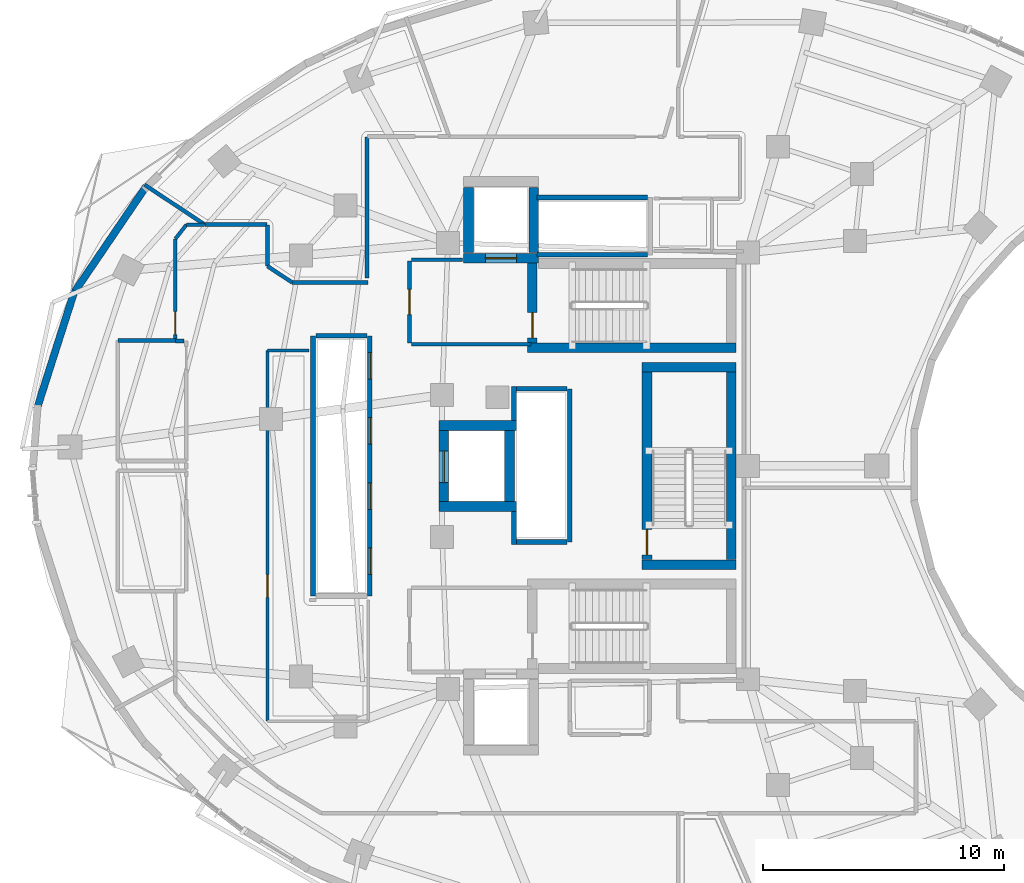
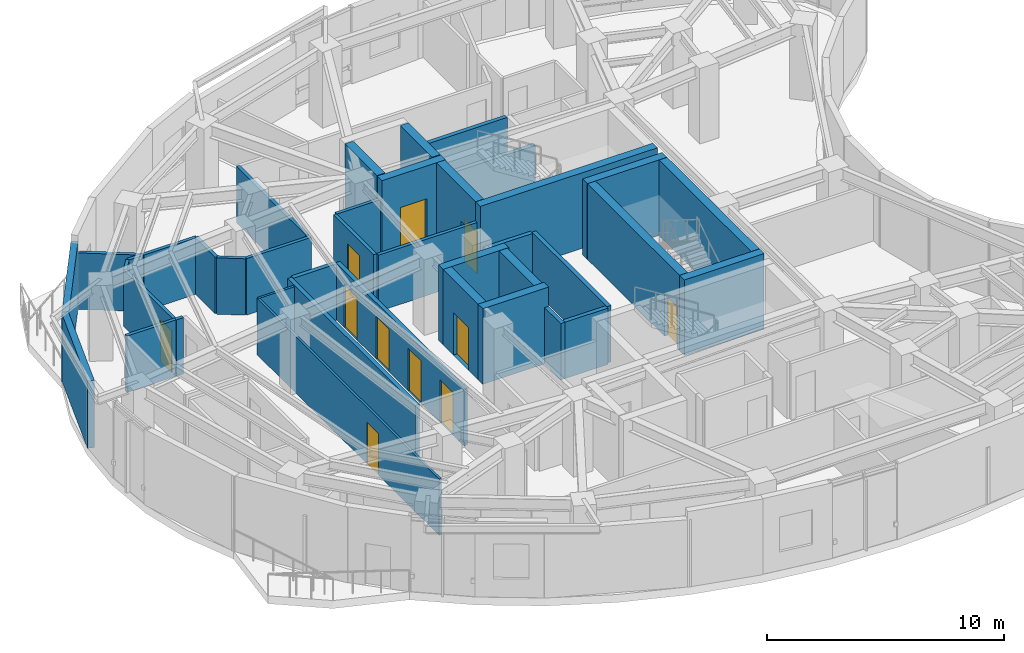
# One storey, part 8 of 13: 41 walls, 11 doors, 11 openings.
"""IFC4 building model written with IfcOpenShell, lengths in metres."""

from ifc_helpers import new_model, si_unit, direction, frame, frame_2d, origin, place, context, subcontext, project, spatial, rectangle, extrude, material, layer, layer_set, type_object, element, fill, save


model = new_model("IFC4")

# Units and contexts
model_context = context("Model", 3, precision=1e-05, world=origin(), true_north=direction((0.0, 1.0)))
body_context = subcontext(model_context, "Body", "Model", "MODEL_VIEW")
ifc_project = project(units=[si_unit("LENGTHUNIT", "METRE"), si_unit("AREAUNIT", "SQUARE_METRE"), si_unit("VOLUMEUNIT", "CUBIC_METRE"), si_unit("PLANEANGLEUNIT", "RADIAN"), si_unit("MASSUNIT", "GRAM", prefix="KILO")], contexts=[model_context])

# Site, building, storey
site_placement = place(None, origin())
site = spatial("IfcSite", under=ifc_project, at=site_placement, CompositionType="ELEMENT")
building_placement = place(site_placement, origin())
building = spatial("IfcBuilding", under=site, at=building_placement, Name="Korentha Bioscience Tower", CompositionType="ELEMENT")
storey_placement = place(building_placement, frame((0.0, 0.0, 166.800048828125)))
storey = spatial("IfcBuildingStorey", under=building, at=storey_placement, Name="L38", CompositionType="ELEMENT", Elevation=166.800048828125)

# Wall, opening, door
ifc_material_1 = material(Name="Double-Stud Acoustic Gypsum", Category="gypsum")
ifc_layer_1 = layer(ifc_material_1, 0.14990234375, Name="Double-Stud Acoustic Gypsum")
ifc_layer_set_1 = layer_set([ifc_layer_1], Name="Double-Stud Acoustic Gypsum (IW-L150)")
wall_type_1 = type_object("IfcWallType", Name="Acoustic Laboratory Partition Wall 150", PredefinedType="PARTITIONING", material=ifc_layer_set_1)
wall_1_placement = place(storey_placement, frame((13.7900390625, 36.41748046875, 0.0), z_axis=(0.0, 0.0, 1.0), x_axis=(0.0, -1.0, 0.0)))
wall_1 = element("IfcWall", 1, at=wall_1_placement, inside=storey, type_object=wall_type_1, Name="L38 Epidemiology Modelling Studio 08 Entrance Wall", PredefinedType="PARTITIONING", context=body_context, shape_type="SweptSolid", body=[
    extrude(rectangle(XDim=4.20751953125, YDim=0.14990234375, at=frame_2d((2.103759765625, 0.0))), origin(), (0.0, 0.0, 1.0), 2.909912109375),
])
opening_1_placement = place(wall_1_placement, frame((3.017333984375, 0.0, 0.0)))
opening_1 = element("IfcOpeningElement", 2, at=opening_1_placement, cuts=wall_1, Name="Opening ID-10R", PredefinedType="OPENING", context=body_context, shape_type="SweptSolid", body=[
    extrude(rectangle(XDim=0.949951171875, YDim=2.14990234375, at=frame_2d((0.47509765625, 1.074951171875))), frame((0.0, 0.08984375, 0.0), z_axis=(0.0, -1.0, 0.0), x_axis=(1.0, 0.0, 0.0)), (0.0, 0.0, 1.0), 0.1796875),
])
ifc_material_2 = material(Name="Phenolic Laminate Timber Core", Category="wood")
door_type_1 = type_object("IfcDoorType", Name="Laboratory Single Leaf Door 950x2150 Right", OperationType="SINGLE_SWING_RIGHT", PredefinedType="DOOR", material=ifc_material_2)
door_1_placement = place(opening_1_placement, origin())
door_1 = element("IfcDoor", 3, at=door_1_placement, inside=storey, type_object=door_type_1, Name="L38 Epidemiology Modelling Studio 08 Door", OperationType="SINGLE_SWING_RIGHT", OverallHeight=2.14990234375, OverallWidth=0.949951171875, PredefinedType="DOOR", context=body_context, shape_type="SweptSolid", body=[
    extrude(rectangle(XDim=0.949951171875, YDim=2.14990234375, at=frame_2d((0.47509765625, 1.074951171875))), frame((0.0, 0.02490234375, 0.0), z_axis=(0.0, -1.0, 0.0), x_axis=(1.0, 0.0, 0.0)), (0.0, 0.0, 1.0), 0.050048828125),
])
fill(opening_1, door_1)

# Walls
wall_2_placement = place(storey_placement, frame((14.9912109375, 37.010009765625, 0.0), z_axis=(0.0, 0.0, 1.0), x_axis=(-1.0, 0.0, 0.0)))
element("IfcWall", 4, at=wall_2_placement, inside=storey, type_object=wall_type_1, Name="L38 Interior Partition 061", PredefinedType="PARTITIONING", context=body_context, shape_type="SweptSolid", body=[
    extrude(rectangle(XDim=0.73583984375, YDim=0.14990234375, at=frame_2d((0.367919921875, 0.0))), origin(), (0.0, 0.0, 1.0), 2.909912109375),
])
wall_3_placement = place(storey_placement, frame((14.24755859375, 37.006103515625, 0.0), z_axis=(0.0, 0.0, 1.0), x_axis=(-0.616041172792, -0.787713954063, 0.0)))
element("IfcWall", 5, at=wall_3_placement, inside=storey, type_object=wall_type_1, Name="L38 Interior Partition 062", PredefinedType="PARTITIONING", context=body_context, shape_type="SweptSolid", body=[
    extrude(rectangle(XDim=0.739501953125, YDim=0.14990234375, at=frame_2d((0.36962890625, 0.0))), origin(), (0.0, 0.0, 1.0), 2.909912109375),
])

# Wall, opening, door
ifc_material_3 = material(Name="Fire-Rated Framed Glass", Category="glass")
ifc_layer_2 = layer(ifc_material_3, 0.110107421875, Name="Fire-Rated Framed Glass")
ifc_layer_set_2 = layer_set([ifc_layer_2], Name="Fire-Rated Framed Glass (IW-G110)")
wall_type_2 = type_object("IfcWallType", Name="Demountable Glazed Office Partition 110", PredefinedType="MOVABLE", material=ifc_layer_set_2)
wall_4_placement = place(storey_placement, frame((17.610107421875, 16.409912109375, 0.0), z_axis=(0.0, 0.0, 1.0), x_axis=(0.0, 1.0, 0.0)))
wall_4 = element("IfcWall", 6, at=wall_4_placement, inside=storey, type_object=wall_type_2, Name="L38 Research Colloquium Seminar Room 01 Entrance Wall", PredefinedType="MOVABLE", context=body_context, shape_type="SweptSolid", body=[
    extrude(rectangle(XDim=15.380126953125, YDim=0.110107421875, at=frame_2d((7.68994140625, 0.0))), origin(), (0.0, 0.0, 1.0), 2.909912109375),
])
opening_2_placement = place(wall_4_placement, frame((5.134521484375, 0.0, 0.0)))
opening_2 = element("IfcOpeningElement", 7, at=opening_2_placement, cuts=wall_4, Name="Opening ID-10L", PredefinedType="OPENING", context=body_context, shape_type="SweptSolid", body=[
    extrude(rectangle(XDim=0.949951171875, YDim=2.14990234375, at=frame_2d((0.47509765625, 1.074951171875))), frame((0.0, 0.06982421875, 0.0), z_axis=(0.0, -1.0, 0.0), x_axis=(1.0, 0.0, 0.0)), (0.0, 0.0, 1.0), 0.139892578125),
])
door_type_2 = type_object("IfcDoorType", Name="Laboratory Single Leaf Door 950x2150 Left", OperationType="SINGLE_SWING_LEFT", PredefinedType="DOOR", material=ifc_material_2)
door_2_placement = place(opening_2_placement, origin())
door_2 = element("IfcDoor", 8, at=door_2_placement, inside=storey, type_object=door_type_2, Name="L38 Research Colloquium Seminar Room 01 Door", OperationType="SINGLE_SWING_LEFT", OverallHeight=2.14990234375, OverallWidth=0.949951171875, PredefinedType="DOOR", context=body_context, shape_type="SweptSolid", body=[
    extrude(rectangle(XDim=0.949951171875, YDim=2.14990234375, at=frame_2d((0.47509765625, 1.074951171875))), frame((0.0, 0.02490234375, 0.0), z_axis=(0.0, -1.0, 0.0), x_axis=(1.0, 0.0, 0.0)), (0.0, 0.0, 1.0), 0.050048828125),
])
fill(opening_2, door_2)

# Wall
wall_5_placement = place(storey_placement, frame((17.610107421875, 31.7900390625, 0.0), z_axis=(0.0, 0.0, 1.0), x_axis=(1.0, 0.0, 0.0)))
element("IfcWall", 9, at=wall_5_placement, inside=storey, type_object=wall_type_2, Name="L38 Interior Partition 031", PredefinedType="MOVABLE", context=body_context, shape_type="SweptSolid", body=[
    extrude(rectangle(XDim=1.72998046875, YDim=0.110107421875, at=frame_2d((0.864990234375, 0.0))), origin(), (0.0, 0.0, 1.0), 2.909912109375),
])

# Wall, opening, door
ifc_material_4 = material(Name="Gypsum-Clad Steel Stud", Category="steel")
ifc_layer_3 = layer(ifc_material_4, 0.159912109375, Name="Gypsum-Clad Steel Stud")
ifc_layer_set_3 = layer_set([ifc_layer_3], Name="Gypsum-Clad Steel Stud (IW-C160)")
wall_type_3 = type_object("IfcWallType", Name="Fire-Rated Corridor Partition Wall 160", PredefinedType="PARTITIONING", material=ifc_layer_set_3)
wall_6_placement = place(storey_placement, frame((23.5, 32.10009765625, 0.0), z_axis=(0.0, 0.0, 1.0), x_axis=(0.0, 1.0, 0.0)))
wall_6 = element("IfcWall", 10, at=wall_6_placement, inside=storey, type_object=wall_type_3, Name="L38 FFLN-CW Rated Enclosure Wall", PredefinedType="PARTITIONING", context=body_context, shape_type="SweptSolid", body=[
    extrude(rectangle(XDim=3.39990234375, YDim=0.159912109375, at=frame_2d((1.699951171875, 0.0))), origin(), (0.0, 0.0, 1.0), 2.909912109375),
])
opening_3_placement = place(wall_6_placement, frame((1.175048828125, 0.0, 0.0)))
opening_3 = element("IfcOpeningElement", 11, at=opening_3_placement, cuts=wall_6, Name="Opening FD-90L", PredefinedType="OPENING", context=body_context, shape_type="SweptSolid", body=[
    extrude(rectangle(XDim=1.050048828125, YDim=2.14990234375, at=frame_2d((0.52490234375, 1.074951171875))), frame((0.0, 0.0947265625, 0.0), z_axis=(0.0, -1.0, 0.0), x_axis=(1.0, 0.0, 0.0)), (0.0, 0.0, 1.0), 0.189697265625),
])
ifc_material_5 = material(Name="Powder-Coated Fire-Rated Steel", Category="steel")
door_type_3 = type_object("IfcDoorType", Name="Stairwell Fire Exit Door 1050x2150 Left", OperationType="SINGLE_SWING_LEFT", PredefinedType="DOOR", material=ifc_material_5)
door_3_placement = place(opening_3_placement, origin())
door_3 = element("IfcDoor", 12, at=door_3_placement, inside=storey, type_object=door_type_3, Name="L38 North Firefighting Lobby Door", OperationType="SINGLE_SWING_LEFT", OverallHeight=2.14990234375, OverallWidth=1.050048828125, PredefinedType="DOOR", context=body_context, shape_type="SweptSolid", body=[
    extrude(rectangle(XDim=1.050048828125, YDim=2.14990234375, at=frame_2d((0.52490234375, 1.074951171875))), frame((0.0, 0.02490234375, 0.0), z_axis=(0.0, -1.0, 0.0), x_axis=(1.0, 0.0, 0.0)), (0.0, 0.0, 1.0), 0.050048828125),
])
fill(opening_3, door_3)

# Walls
wall_7_placement = place(storey_placement, frame((23.580078125, 32.050048828125, 0.0), z_axis=(0.0, 0.0, 1.0), x_axis=(1.0, 0.0, 0.0)))
element("IfcWall", 13, at=wall_7_placement, inside=storey, type_object=wall_type_3, Name="L38 Firefighting Lobby Return Wall FFLN-S", PredefinedType="PARTITIONING", context=body_context, shape_type="SweptSolid", body=[
    extrude(rectangle(XDim=4.969970703125, YDim=0.159912109375, at=frame_2d((2.48486328125, 0.0))), origin(), (0.0, 0.0, 1.0), 2.909912109375),
])
wall_8_placement = place(storey_placement, frame((23.580078125, 35.550048828125, 0.0), z_axis=(0.0, 0.0, 1.0), x_axis=(1.0, 0.0, 0.0)))
element("IfcWall", 14, at=wall_8_placement, inside=storey, type_object=wall_type_3, Name="L38 Firefighting Lobby Return Wall FFLN-N", PredefinedType="PARTITIONING", context=body_context, shape_type="SweptSolid", body=[
    extrude(rectangle(XDim=2.119873046875, YDim=0.159912109375, at=frame_2d((1.06005859375, 0.0))), origin(), (0.0, 0.0, 1.0), 2.909912109375),
])
wall_9_placement = place(storey_placement, frame((13.800048828125, 32.18994140625, 0.0), z_axis=(0.0, 0.0, 1.0), x_axis=(1.0, 0.0, 0.0)))
element("IfcWall", 15, at=wall_9_placement, inside=storey, type_object=wall_type_3, Name="L38 Interior Partition 024", PredefinedType="PARTITIONING", context=body_context, shape_type="SweptSolid", body=[
    extrude(rectangle(XDim=0.35693359375, YDim=0.159912109375, at=frame_2d((0.178466796875, 0.0))), origin(), (0.0, 0.0, 1.0), 2.909912109375),
])
wall_10_placement = place(storey_placement, frame((11.39990234375, 32.199951171875, 0.0), z_axis=(0.0, 0.0, 1.0), x_axis=(1.0, 0.0, 0.0)))
element("IfcWall", 16, at=wall_10_placement, inside=storey, type_object=wall_type_3, Name="L38 Interior Partition 027", PredefinedType="PARTITIONING", context=body_context, shape_type="SweptSolid", body=[
    extrude(rectangle(XDim=2.39013671875, YDim=0.159912109375, at=frame_2d((1.195068359375, 0.0))), origin(), (0.0, 0.0, 1.0), 2.909912109375),
])
wall_11_placement = place(storey_placement, frame((21.739990234375, 40.64990234375, 0.0), z_axis=(0.0, 0.0, 1.0), x_axis=(0.0, -1.0, 0.0)))
element("IfcWall", 17, at=wall_11_placement, inside=storey, type_object=wall_type_3, Name="L38 Interior Partition 055", PredefinedType="PARTITIONING", context=body_context, shape_type="SweptSolid", body=[
    extrude(rectangle(XDim=5.849853515625, YDim=0.159912109375, at=frame_2d((2.9248046875, 0.0))), origin(), (0.0, 0.0, 1.0), 2.909912109375),
])
wall_12_placement = place(storey_placement, frame((21.7900390625, 34.610107421875, 0.0), z_axis=(0.0, 0.0, 1.0), x_axis=(-1.0, 0.0, 0.0)))
element("IfcWall", 18, at=wall_12_placement, inside=storey, type_object=wall_type_3, Name="L38 Interior Partition 056", PredefinedType="PARTITIONING", context=body_context, shape_type="SweptSolid", body=[
    extrude(rectangle(XDim=3.15673828125, YDim=0.159912109375, at=frame_2d((1.578369140625, 0.0))), origin(), (0.0, 0.0, 1.0), 2.909912109375),
])
wall_13_placement = place(storey_placement, frame((18.63330078125, 34.610107421875, 0.0), z_axis=(0.0, 0.0, 1.0), x_axis=(-0.833790799357, 0.552080522123, 0.0)))
element("IfcWall", 19, at=wall_13_placement, inside=storey, type_object=wall_type_3, Name="L38 Interior Partition 057", PredefinedType="PARTITIONING", context=body_context, shape_type="SweptSolid", body=[
    extrude(rectangle(XDim=1.22705078125, YDim=0.159912109375, at=frame_2d((0.613525390625, 0.0))), origin(), (0.0, 0.0, 1.0), 2.909912109375),
])
wall_14_placement = place(storey_placement, frame((17.610107421875, 35.28759765625, 0.0), z_axis=(0.0, 0.0, 1.0), x_axis=(0.0, 1.0, 0.0)))
element("IfcWall", 20, at=wall_14_placement, inside=storey, type_object=wall_type_3, Name="L38 Interior Partition 058", PredefinedType="PARTITIONING", context=body_context, shape_type="SweptSolid", body=[
    extrude(rectangle(XDim=1.71240234375, YDim=0.159912109375, at=frame_2d((0.856201171875, 0.0))), origin(), (0.0, 0.0, 1.0), 2.909912109375),
])
wall_15_placement = place(storey_placement, frame((17.60009765625, 37.010009765625, 0.0), z_axis=(0.0, 0.0, 1.0), x_axis=(-1.0, 0.0, 0.0)))
element("IfcWall", 21, at=wall_15_placement, inside=storey, type_object=wall_type_3, Name="L38 Interior Partition 059", PredefinedType="PARTITIONING", context=body_context, shape_type="SweptSolid", body=[
    extrude(rectangle(XDim=2.590576171875, YDim=0.159912109375, at=frame_2d((1.29541015625, 0.0))), origin(), (0.0, 0.0, 1.0), 2.909912109375),
])
wall_16_placement = place(storey_placement, frame((15.009521484375, 37.010009765625, 0.0), z_axis=(0.0, 0.0, 1.0), x_axis=(-0.833750277905, 0.552141715589, 0.0)))
element("IfcWall", 22, at=wall_16_placement, inside=storey, type_object=wall_type_3, Name="L38 Interior Partition 060", PredefinedType="PARTITIONING", context=body_context, shape_type="SweptSolid", body=[
    extrude(rectangle(XDim=2.997802734375, YDim=0.159912109375, at=frame_2d((1.4990234375, 0.0))), origin(), (0.0, 0.0, 1.0), 2.909912109375),
])
ifc_material_6 = material(Name="Honed Limestone Precast Concrete C40", Category="masonry")
ifc_layer_4 = layer(ifc_material_6, 0.300048828125, Name="Honed Limestone Precast Concrete C40")
ifc_layer_set_4 = layer_set([ifc_layer_4], Name="Honed Limestone Precast Concrete C40 (EW-ST300)")
wall_type_4 = type_object("IfcWallType", Name="Honed Limestone Cavity Spandrel Wall 300", PredefinedType="STANDARD", material=ifc_layer_set_4)
wall_17_placement = place(storey_placement, frame((12.580078125, 38.6005859375, 0.0), z_axis=(0.0, 0.0, 1.0), x_axis=(-0.561663900064, -0.827365495634, 0.0)))
element("IfcWall", 23, at=wall_17_placement, inside=storey, type_object=wall_type_4, Name="L38 Limestone Perimeter Closure Wall 14", PredefinedType="STANDARD", context=body_context, shape_type="SweptSolid", body=[
    extrude(rectangle(XDim=5.437744140625, YDim=0.300048828125, at=frame_2d((2.71875, 0.0))), origin(), (0.0, 0.0, 1.0), 3.469970703125),
])
wall_18_placement = place(storey_placement, frame((9.612548828125, 34.280029296875, 0.0), z_axis=(0.0, 0.0, 1.0), x_axis=(-0.303930984078, -0.952694052106, 0.0)))
element("IfcWall", 24, at=wall_18_placement, inside=storey, type_object=wall_type_4, Name="L38 Limestone Perimeter Closure Wall 16", PredefinedType="STANDARD", context=body_context, shape_type="SweptSolid", body=[
    extrude(rectangle(XDim=5.18115234375, YDim=0.300048828125, at=frame_2d((2.590576171875, 0.0))), origin(), (0.0, 0.0, 1.0), 3.469970703125),
])
ifc_material_7 = material(Name="Autoclaved Aerated Concrete Block C25", Category="concrete")
ifc_layer_5 = layer(ifc_material_7, 0.199951171875, Name="Autoclaved Aerated Concrete Block C25")
ifc_layer_set_5 = layer_set([ifc_layer_5], Name="Autoclaved Aerated Concrete Block C25 (IW-S200)")
wall_type_5 = type_object("IfcWallType", Name="Lift and Riser Shaft Enclosure Wall 200", PredefinedType="PARTITIONING", material=ifc_layer_set_5)
wall_19_placement = place(storey_placement, frame((19.5, 21.60009765625, 0.0), z_axis=(0.0, 0.0, 1.0), x_axis=(0.0, 1.0, 0.0)))
element("IfcWall", 25, at=wall_19_placement, inside=storey, type_object=wall_type_5, Name="L38 Lift Bank MID Shaft Wall -X", PredefinedType="PARTITIONING", context=body_context, shape_type="SweptSolid", body=[
    extrude(rectangle(XDim=10.7998046875, YDim=0.199951171875, at=frame_2d((5.39990234375, 0.0))), origin(), (0.0, 0.0, 1.0), 2.909912109375),
])

# Wall, openings, doors
wall_20_placement = place(storey_placement, frame((21.85009765625, 21.60009765625, 0.0), z_axis=(0.0, 0.0, 1.0), x_axis=(0.0, 1.0, 0.0)))
wall_20 = element("IfcWall", 26, at=wall_20_placement, inside=storey, type_object=wall_type_5, Name="L38 Lift Bank MID Shaft Wall +X", PredefinedType="PARTITIONING", context=body_context, shape_type="SweptSolid", body=[
    extrude(rectangle(XDim=10.7998046875, YDim=0.199951171875, at=frame_2d((5.39990234375, 0.0))), origin(), (0.0, 0.0, 1.0), 2.909912109375),
])
opening_4_placement = place(wall_20_placement, frame((0.89990234375, 0.0, 0.0)))
opening_4 = element("IfcOpeningElement", 27, at=opening_4_placement, cuts=wall_20, Name="Opening LD-11", PredefinedType="OPENING", context=body_context, shape_type="SweptSolid", body=[
    extrude(rectangle(XDim=1.10009765625, YDim=2.199951171875, at=frame_2d((0.550048828125, 1.10009765625))), frame((0.0, 0.11474609375, 0.0), z_axis=(0.0, -1.0, 0.0), x_axis=(1.0, 0.0, 0.0)), (0.0, 0.0, 1.0), 0.229736328125),
])
opening_5_placement = place(wall_20_placement, frame((3.60009765625, 0.0, 0.0)))
opening_5 = element("IfcOpeningElement", 28, at=opening_5_placement, cuts=wall_20, Name="Opening LD-11", PredefinedType="OPENING", context=body_context, shape_type="SweptSolid", body=[
    extrude(rectangle(XDim=1.10009765625, YDim=2.199951171875, at=frame_2d((0.550048828125, 1.10009765625))), frame((0.0, 0.11474609375, 0.0), z_axis=(0.0, -1.0, 0.0), x_axis=(1.0, 0.0, 0.0)), (0.0, 0.0, 1.0), 0.229736328125),
])
opening_6_placement = place(wall_20_placement, frame((6.300048828125, 0.0, 0.0)))
opening_6 = element("IfcOpeningElement", 29, at=opening_6_placement, cuts=wall_20, Name="Opening LD-11", PredefinedType="OPENING", context=body_context, shape_type="SweptSolid", body=[
    extrude(rectangle(XDim=1.10009765625, YDim=2.199951171875, at=frame_2d((0.550048828125, 1.10009765625))), frame((0.0, 0.11474609375, 0.0), z_axis=(0.0, -1.0, 0.0), x_axis=(1.0, 0.0, 0.0)), (0.0, 0.0, 1.0), 0.229736328125),
])
opening_7_placement = place(wall_20_placement, frame((9.0, 0.0, 0.0)))
opening_7 = element("IfcOpeningElement", 30, at=opening_7_placement, cuts=wall_20, Name="Opening LD-11", PredefinedType="OPENING", context=body_context, shape_type="SweptSolid", body=[
    extrude(rectangle(XDim=1.10009765625, YDim=2.199951171875, at=frame_2d((0.550048828125, 1.10009765625))), frame((0.0, 0.11474609375, 0.0), z_axis=(0.0, -1.0, 0.0), x_axis=(1.0, 0.0, 0.0)), (0.0, 0.0, 1.0), 0.229736328125),
])
ifc_material_8 = material(Name="Brushed Stainless Steel 304", Category="steel")
door_type_4 = type_object("IfcDoorType", Name="Passenger Lift Sliding Landing Door 1100x2200", OperationType="DOUBLE_DOOR_SLIDING", PredefinedType="DOOR", material=ifc_material_8)
door_4_placement = place(opening_4_placement, origin())
door_4 = element("IfcDoor", 31, at=door_4_placement, inside=storey, type_object=door_type_4, Name="L38 PL-M1 Sliding Lift Landing Door", OperationType="DOUBLE_DOOR_SLIDING", OverallHeight=2.199951171875, OverallWidth=1.10009765625, PredefinedType="DOOR", context=body_context, shape_type="SweptSolid", body=[
    extrude(rectangle(XDim=1.10009765625, YDim=2.199951171875, at=frame_2d((0.550048828125, 1.10009765625))), frame((0.0, 0.02490234375, 0.0), z_axis=(0.0, -1.0, 0.0), x_axis=(1.0, 0.0, 0.0)), (0.0, 0.0, 1.0), 0.050048828125),
])
fill(opening_4, door_4)
door_5_placement = place(opening_5_placement, origin())
door_5 = element("IfcDoor", 32, at=door_5_placement, inside=storey, type_object=door_type_4, Name="L38 PL-M2 Sliding Lift Landing Door", OperationType="DOUBLE_DOOR_SLIDING", OverallHeight=2.199951171875, OverallWidth=1.10009765625, PredefinedType="DOOR", context=body_context, shape_type="SweptSolid", body=[
    extrude(rectangle(XDim=1.10009765625, YDim=2.199951171875, at=frame_2d((0.550048828125, 1.10009765625))), frame((0.0, 0.02490234375, 0.0), z_axis=(0.0, -1.0, 0.0), x_axis=(1.0, 0.0, 0.0)), (0.0, 0.0, 1.0), 0.050048828125),
])
fill(opening_5, door_5)
door_6_placement = place(opening_6_placement, origin())
door_6 = element("IfcDoor", 33, at=door_6_placement, inside=storey, type_object=door_type_4, Name="L38 PL-M3 Sliding Lift Landing Door", OperationType="DOUBLE_DOOR_SLIDING", OverallHeight=2.199951171875, OverallWidth=1.10009765625, PredefinedType="DOOR", context=body_context, shape_type="SweptSolid", body=[
    extrude(rectangle(XDim=1.10009765625, YDim=2.199951171875, at=frame_2d((0.550048828125, 1.10009765625))), frame((0.0, 0.02490234375, 0.0), z_axis=(0.0, -1.0, 0.0), x_axis=(1.0, 0.0, 0.0)), (0.0, 0.0, 1.0), 0.050048828125),
])
fill(opening_6, door_6)
door_7_placement = place(opening_7_placement, origin())
door_7 = element("IfcDoor", 34, at=door_7_placement, inside=storey, type_object=door_type_4, Name="L38 PL-M4 Sliding Lift Landing Door", OperationType="DOUBLE_DOOR_SLIDING", OverallHeight=2.199951171875, OverallWidth=1.10009765625, PredefinedType="DOOR", context=body_context, shape_type="SweptSolid", body=[
    extrude(rectangle(XDim=1.10009765625, YDim=2.199951171875, at=frame_2d((0.550048828125, 1.10009765625))), frame((0.0, 0.02490234375, 0.0), z_axis=(0.0, -1.0, 0.0), x_axis=(1.0, 0.0, 0.0)), (0.0, 0.0, 1.0), 0.050048828125),
])
fill(opening_7, door_7)

# Walls
wall_21_placement = place(storey_placement, frame((19.6201171875, 32.39990234375, 0.0), z_axis=(0.0, 0.0, 1.0), x_axis=(1.0, 0.0, 0.0)))
element("IfcWall", 35, at=wall_21_placement, inside=storey, type_object=wall_type_5, Name="L38 Lift Bank MID Shaft Wall +Y", PredefinedType="PARTITIONING", context=body_context, shape_type="SweptSolid", body=[
    extrude(rectangle(XDim=2.10986328125, YDim=0.199951171875, at=frame_2d((1.054931640625, 0.0))), origin(), (0.0, 0.0, 1.0), 2.909912109375),
])
wall_22_placement = place(storey_placement, frame((27.830078125, 23.75, 0.0), z_axis=(0.0, 0.0, 1.0), x_axis=(0.0, 1.0, 0.0)))
element("IfcWall", 36, at=wall_22_placement, inside=storey, type_object=wall_type_5, Name="L38 Lift Bank HIGH Shaft Wall -XS", PredefinedType="PARTITIONING", context=body_context, shape_type="SweptSolid", body=[
    extrude(rectangle(XDim=1.365966796875, YDim=0.199951171875, at=frame_2d((0.68310546875, 0.0))), origin(), (0.0, 0.0, 1.0), 2.909912109375),
])
wall_23_placement = place(storey_placement, frame((27.830078125, 28.884033203125, 0.0), z_axis=(0.0, 0.0, 1.0), x_axis=(0.0, 1.0, 0.0)))
element("IfcWall", 37, at=wall_23_placement, inside=storey, type_object=wall_type_5, Name="L38 Lift Bank HIGH Shaft Wall -XN", PredefinedType="PARTITIONING", context=body_context, shape_type="SweptSolid", body=[
    extrude(rectangle(XDim=1.416015625, YDim=0.199951171875, at=frame_2d((0.7080078125, 0.0))), origin(), (0.0, 0.0, 1.0), 2.909912109375),
])
wall_24_placement = place(storey_placement, frame((30.14990234375, 23.85009765625, 0.0), z_axis=(0.0, 0.0, 1.0), x_axis=(0.0, 1.0, 0.0)))
element("IfcWall", 38, at=wall_24_placement, inside=storey, type_object=wall_type_5, Name="L38 Lift Bank HIGH Shaft Wall +X", PredefinedType="PARTITIONING", context=body_context, shape_type="SweptSolid", body=[
    extrude(rectangle(XDim=6.349853515625, YDim=0.199951171875, at=frame_2d((3.1748046875, 0.0))), origin(), (0.0, 0.0, 1.0), 2.909912109375),
])
for number, where, z_axis, x_axis, name in (
    (39, (27.93408203125, 23.85009765625, 0.0), (0.0, 0.0, 1.0), (1.0, 0.0, 0.0), "L38 Lift Bank HIGH Shaft Wall -Y"),
    (40, (27.93408203125, 30.199951171875, 0.0), (0.0, 0.0, 1.0), (1.0, 0.0, 0.0), "L38 Lift Bank HIGH Shaft Wall +Y"),
):
    element("IfcWall", number, at=place(storey_placement, frame(where, z_axis=z_axis, x_axis=x_axis)), inside=storey, type_object=wall_type_5, Name=name, PredefinedType="PARTITIONING", context=body_context, shape_type="SweptSolid", body=[
        extrude(rectangle(XDim=2.095947265625, YDim=0.199951171875, at=frame_2d((1.0478515625, 0.0))), origin(), (0.0, 0.0, 1.0), 2.909912109375),
    ])
for number, where, z_axis, x_axis, name in (
    (41, (28.800048828125, 35.760009765625, 0.0), (0.0, 0.0, 1.0), (1.0, 0.0, 0.0), "L38 Lift Bank OBS Shaft Wall -Y"),
    (42, (28.800048828125, 38.139892578125, 0.0), (0.0, 0.0, 1.0), (1.0, 0.0, 0.0), "L38 Lift Bank OBS Shaft Wall +Y"),
):
    element("IfcWall", number, at=place(storey_placement, frame(where, z_axis=z_axis, x_axis=x_axis)), inside=storey, type_object=wall_type_5, Name=name, PredefinedType="PARTITIONING", context=body_context, shape_type="SweptSolid", body=[
        extrude(rectangle(XDim=4.570068359375, YDim=0.199951171875, at=frame_2d((2.28515625, 0.0))), origin(), (0.0, 0.0, 1.0), 2.909912109375),
    ])
ifc_material_9 = material(Name="Concrete C65", Category="concrete")
ifc_layer_6 = layer(ifc_material_9, 0.39990234375, Name="Concrete C65")
ifc_layer_set_6 = layer_set([ifc_layer_6], Name="Concrete C65 (CW-C65)")
wall_type_6 = type_object("IfcWallType", Name="Mid-Rise Core Shear Wall 400", PredefinedType="SHEAR", material=ifc_layer_set_6)
wall_25_placement = place(storey_placement, frame((28.39990234375, 31.89990234375, 0.0), z_axis=(0.0, 0.0, 1.0), x_axis=(1.0, 0.0, 0.0)))
element("IfcWall", 43, at=wall_25_placement, inside=storey, type_object=wall_type_6, Name="L38 Core Shear Wall ST1-S", PredefinedType="SHEAR", context=body_context, shape_type="SweptSolid", body=[
    extrude(rectangle(XDim=8.650146484375, YDim=0.39990234375, at=frame_2d((4.3251953125, 0.0))), origin(), (0.0, 0.0, 1.0), 3.89990234375),
])

# Wall, opening, door
wall_26_placement = place(storey_placement, frame((28.60009765625, 32.110107421875, 0.0), z_axis=(0.0, 0.0, 1.0), x_axis=(0.0, 1.0, 0.0)))
wall_26 = element("IfcWall", 44, at=wall_26_placement, inside=storey, type_object=wall_type_6, Name="L38 Core Shear Wall ST1-W", PredefinedType="SHEAR", context=body_context, shape_type="SweptSolid", body=[
    extrude(rectangle(XDim=3.307861328125, YDim=0.39990234375, at=frame_2d((1.65380859375, 0.0))), origin(), (0.0, 0.0, 1.0), 3.89990234375),
])
opening_8_placement = place(wall_26_placement, frame((0.199951171875, 0.0, 0.0)))
opening_8 = element("IfcOpeningElement", 45, at=opening_8_placement, cuts=wall_26, Name="Opening FD-90L", PredefinedType="OPENING", context=body_context, shape_type="SweptSolid", body=[
    extrude(rectangle(XDim=1.050048828125, YDim=2.14990234375, at=frame_2d((0.52490234375, 1.074951171875))), frame((0.0, 0.21484375, 0.0), z_axis=(0.0, -1.0, 0.0), x_axis=(1.0, 0.0, 0.0)), (0.0, 0.0, 1.0), 0.4296875),
])
door_8_placement = place(opening_8_placement, origin())
door_8 = element("IfcDoor", 46, at=door_8_placement, inside=storey, type_object=door_type_3, Name="L38 ST-1 Fire Exit Stair Door", OperationType="SINGLE_SWING_LEFT", OverallHeight=2.14990234375, OverallWidth=1.050048828125, PredefinedType="DOOR", context=body_context, shape_type="SweptSolid", body=[
    extrude(rectangle(XDim=1.050048828125, YDim=2.14990234375, at=frame_2d((0.52490234375, 1.074951171875))), frame((0.0, 0.02490234375, 0.0), z_axis=(0.0, -1.0, 0.0), x_axis=(1.0, 0.0, 0.0)), (0.0, 0.0, 1.0), 0.050048828125),
])
fill(opening_8, door_8)

# Walls
for number, where, z_axis, x_axis, name in (
    (47, (33.14990234375, 31.10009765625, 0.0), (0.0, 0.0, 1.0), (1.0, 0.0, 0.0), "L38 Core Shear Wall ST3-N"),
    (48, (33.14990234375, 22.89990234375, 0.0), (0.0, 0.0, 1.0), (1.0, 0.0, 0.0), "L38 Core Shear Wall ST3-S"),
):
    element("IfcWall", number, at=place(storey_placement, frame(where, z_axis=z_axis, x_axis=x_axis)), inside=storey, type_object=wall_type_6, Name=name, PredefinedType="SHEAR", context=body_context, shape_type="SweptSolid", body=[
        extrude(rectangle(XDim=3.900146484375, YDim=0.39990234375, at=frame_2d((1.9501953125, 0.0))), origin(), (0.0, 0.0, 1.0), 3.89990234375),
    ])
wall_27_placement = place(storey_placement, frame((36.85009765625, 23.110107421875, 0.0), z_axis=(0.0, 0.0, 1.0), x_axis=(0.0, 1.0, 0.0)))
element("IfcWall", 49, at=wall_27_placement, inside=storey, type_object=wall_type_6, Name="L38 Core Shear Wall ST3-E", PredefinedType="SHEAR", context=body_context, shape_type="SweptSolid", body=[
    extrude(rectangle(XDim=7.77978515625, YDim=0.39990234375, at=frame_2d((3.889892578125, 0.0))), origin(), (0.0, 0.0, 1.0), 3.89990234375),
])

# Wall, opening, door
wall_28_placement = place(storey_placement, frame((33.35009765625, 23.110107421875, 0.0), z_axis=(0.0, 0.0, 1.0), x_axis=(0.0, 1.0, 0.0)))
wall_28 = element("IfcWall", 50, at=wall_28_placement, inside=storey, type_object=wall_type_6, Name="L38 Core Shear Wall ST3-W", PredefinedType="SHEAR", context=body_context, shape_type="SweptSolid", body=[
    extrude(rectangle(XDim=7.77978515625, YDim=0.39990234375, at=frame_2d((3.889892578125, 0.0))), origin(), (0.0, 0.0, 1.0), 3.89990234375),
])
opening_9_placement = place(wall_28_placement, frame((0.199951171875, 0.0, 0.0)))
opening_9 = element("IfcOpeningElement", 51, at=opening_9_placement, cuts=wall_28, Name="Opening FD-90L", PredefinedType="OPENING", context=body_context, shape_type="SweptSolid", body=[
    extrude(rectangle(XDim=1.050048828125, YDim=2.14990234375, at=frame_2d((0.52490234375, 1.074951171875))), frame((0.0, 0.21484375, 0.0), z_axis=(0.0, -1.0, 0.0), x_axis=(1.0, 0.0, 0.0)), (0.0, 0.0, 1.0), 0.4296875),
])
door_9_placement = place(opening_9_placement, origin())
door_9 = element("IfcDoor", 52, at=door_9_placement, inside=storey, type_object=door_type_3, Name="L38 ST-3 Fire Exit Stair Door", OperationType="SINGLE_SWING_LEFT", OverallHeight=2.14990234375, OverallWidth=1.050048828125, PredefinedType="DOOR", context=body_context, shape_type="SweptSolid", body=[
    extrude(rectangle(XDim=1.050048828125, YDim=2.14990234375, at=frame_2d((0.52490234375, 1.074951171875))), frame((0.0, 0.02490234375, 0.0), z_axis=(0.0, -1.0, 0.0), x_axis=(1.0, 0.0, 0.0)), (0.0, 0.0, 1.0), 0.050048828125),
])
fill(opening_9, door_9)

wall_29_placement = place(storey_placement, frame((25.75, 35.6201171875, 0.0), z_axis=(0.0, 0.0, 1.0), x_axis=(1.0, 0.0, 0.0)))
wall_29 = element("IfcWall", 53, at=wall_29_placement, inside=storey, type_object=wall_type_6, Name="L38 Core Shear Wall FFL2-S", PredefinedType="SHEAR", context=body_context, shape_type="SweptSolid", body=[
    extrude(rectangle(XDim=3.10009765625, YDim=0.39990234375, at=frame_2d((1.550048828125, 0.0))), origin(), (0.0, 0.0, 1.0), 3.89990234375),
])
opening_10_placement = place(wall_29_placement, frame((0.89990234375, 0.0, 0.0)))
opening_10 = element("IfcOpeningElement", 54, at=opening_10_placement, cuts=wall_29, Name="Opening LD-13", PredefinedType="OPENING", context=body_context, shape_type="SweptSolid", body=[
    extrude(rectangle(XDim=1.300048828125, YDim=2.199951171875, at=frame_2d((0.64990234375, 1.10009765625))), frame((0.0, 0.21484375, 0.0), z_axis=(0.0, -1.0, 0.0), x_axis=(1.0, 0.0, 0.0)), (0.0, 0.0, 1.0), 0.4296875),
])
ifc_material_10 = material(Name="Brushed Stainless Steel 316", Category="steel")
door_type_5 = type_object("IfcDoorType", Name="Service & Firefighting Lift Landing Door 1300x2300", OperationType="DOUBLE_DOOR_SLIDING", PredefinedType="DOOR", material=ifc_material_10)
door_10_placement = place(opening_10_placement, origin())
door_10 = element("IfcDoor", 55, at=door_10_placement, inside=storey, type_object=door_type_5, Name="L38 FFL-2 Sliding Lift Landing Door", OperationType="DOUBLE_DOOR_SLIDING", OverallHeight=2.199951171875, OverallWidth=1.300048828125, PredefinedType="DOOR", context=body_context, shape_type="SweptSolid", body=[
    extrude(rectangle(XDim=1.300048828125, YDim=2.199951171875, at=frame_2d((0.64990234375, 1.10009765625))), frame((0.0, 0.02490234375, 0.0), z_axis=(0.0, -1.0, 0.0), x_axis=(1.0, 0.0, 0.0)), (0.0, 0.0, 1.0), 0.050048828125),
])
fill(opening_10, door_10)

# Walls
for number, where, z_axis, x_axis, name in (
    (56, (25.949951171875, 35.860107421875, 0.0), (0.0, 0.0, 1.0), (0.0, 1.0, 0.0), "L38 Core Shear Wall FFL2-W"),
    (57, (28.64990234375, 35.860107421875, 0.0), (0.0, 0.0, 1.0), (0.0, 1.0, 0.0), "L38 Core Shear Wall FFL2-E"),
):
    element("IfcWall", number, at=place(storey_placement, frame(where, z_axis=z_axis, x_axis=x_axis)), inside=storey, type_object=wall_type_6, Name=name, PredefinedType="SHEAR", context=body_context, shape_type="SweptSolid", body=[
        extrude(rectangle(XDim=2.699951171875, YDim=0.39990234375, at=frame_2d((1.35009765625, 0.0))), origin(), (0.0, 0.0, 1.0), 3.89990234375),
    ])
for number, where, z_axis, x_axis, name in (
    (58, (24.719970703125, 28.679931640625, 0.0), (0.0, 0.0, 1.0), (1.0, 0.0, 0.0), "L38 Core Shear Wall SVL1-N"),
    (59, (24.719970703125, 25.320068359375, 0.0), (0.0, 0.0, 1.0), (1.0, 0.0, 0.0), "L38 Core Shear Wall SVL1-S"),
):
    element("IfcWall", number, at=place(storey_placement, frame(where, z_axis=z_axis, x_axis=x_axis)), inside=storey, type_object=wall_type_6, Name=name, PredefinedType="SHEAR", context=body_context, shape_type="SweptSolid", body=[
        extrude(rectangle(XDim=3.2099609375, YDim=0.39990234375, at=frame_2d((1.60498046875, 0.0))), origin(), (0.0, 0.0, 1.0), 3.89990234375),
    ])

# Wall, opening, door
wall_30_placement = place(storey_placement, frame((24.919921875, 25.52197265625, 0.0), z_axis=(0.0, 0.0, 1.0), x_axis=(0.0, 1.0, 0.0)))
wall_30 = element("IfcWall", 60, at=wall_30_placement, inside=storey, type_object=wall_type_6, Name="L38 Core Shear Wall SVL1-W", PredefinedType="SHEAR", context=body_context, shape_type="SweptSolid", body=[
    extrude(rectangle(XDim=2.9560546875, YDim=0.39990234375, at=frame_2d((1.47802734375, 0.0))), origin(), (0.0, 0.0, 1.0), 3.89990234375),
])
opening_11_placement = place(wall_30_placement, frame((0.7900390625, 0.0, 0.0)))
opening_11 = element("IfcOpeningElement", 61, at=opening_11_placement, cuts=wall_30, Name="Opening LD-13", PredefinedType="OPENING", context=body_context, shape_type="SweptSolid", body=[
    extrude(rectangle(XDim=1.300048828125, YDim=2.199951171875, at=frame_2d((0.64990234375, 1.10009765625))), frame((0.0, 0.21484375, 0.0), z_axis=(0.0, -1.0, 0.0), x_axis=(1.0, 0.0, 0.0)), (0.0, 0.0, 1.0), 0.4296875),
])
door_11_placement = place(opening_11_placement, origin())
door_11 = element("IfcDoor", 62, at=door_11_placement, inside=storey, type_object=door_type_5, Name="L38 SVL-1 Sliding Lift Landing Door", OperationType="DOUBLE_DOOR_SLIDING", OverallHeight=2.199951171875, OverallWidth=1.300048828125, PredefinedType="DOOR", context=body_context, shape_type="SweptSolid", body=[
    extrude(rectangle(XDim=1.300048828125, YDim=2.199951171875, at=frame_2d((0.64990234375, 1.10009765625))), frame((0.0, 0.02490234375, 0.0), z_axis=(0.0, -1.0, 0.0), x_axis=(1.0, 0.0, 0.0)), (0.0, 0.0, 1.0), 0.050048828125),
])
fill(opening_11, door_11)

# Wall
wall_31_placement = place(storey_placement, frame((27.64990234375, 25.52197265625, 0.0), z_axis=(0.0, 0.0, 1.0), x_axis=(0.0, 1.0, 0.0)))
element("IfcWall", 63, at=wall_31_placement, inside=storey, type_object=wall_type_6, Name="L38 Core Shear Wall SVL1-E", PredefinedType="SHEAR", context=body_context, shape_type="SweptSolid", body=[
    extrude(rectangle(XDim=2.9560546875, YDim=0.39990234375, at=frame_2d((1.47802734375, 0.0))), origin(), (0.0, 0.0, 1.0), 3.89990234375),
])

save(model, "model.ifc")
